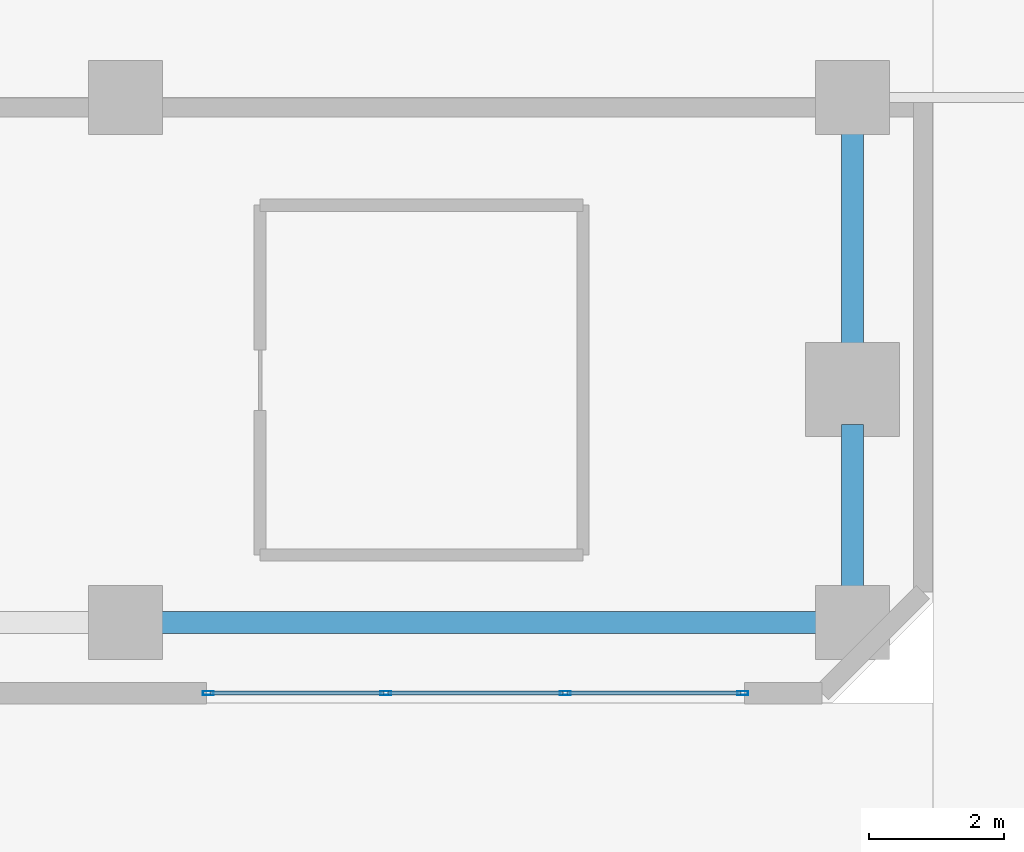
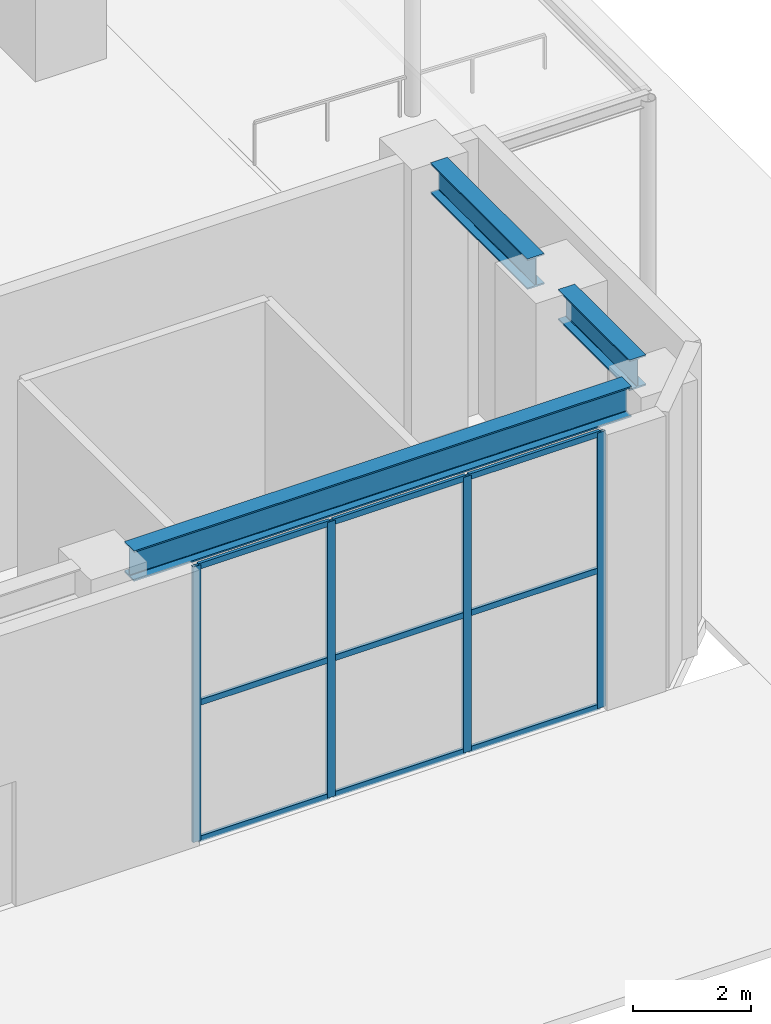
# One storey, part 20 of 49: 13 members, 3 beams, 1 element without a shape of its own.
"""IFC4 building model written with IfcOpenShell, lengths in metres."""

from ifc_helpers import new_model, si_unit, direction, frame, origin, origin_2d, place, context, subcontext, project, spatial, hollow_rectangle, i_section, extrude, material, layer, layer_set, material_profile, profile_set, type_object, element, aggregate, save


model = new_model("IFC4")

# Units and contexts
model_context = context("Model", 3, precision=1e-05, world=origin(), true_north=direction((0.0, 1.0)))
body_context = subcontext(model_context, "Body", "Model", "MODEL_VIEW")
ifc_project = project(units=[si_unit("LENGTHUNIT", "METRE"), si_unit("AREAUNIT", "SQUARE_METRE"), si_unit("VOLUMEUNIT", "CUBIC_METRE"), si_unit("PLANEANGLEUNIT", "RADIAN"), si_unit("MASSUNIT", "GRAM", prefix="KILO")], contexts=[model_context])

# Site, building, storey
site_placement = place(None, origin())
site = spatial("IfcSite", under=ifc_project, at=site_placement, CompositionType="ELEMENT")
building_placement = place(site_placement, origin())
building = spatial("IfcBuilding", under=site, at=building_placement, Name="Sarneth Arch Tower", CompositionType="ELEMENT")
storey_placement = place(building_placement, origin())
storey = spatial("IfcBuildingStorey", under=building, at=storey_placement, Name="L00", CompositionType="ELEMENT", Elevation=0.0)

# Beams
ifc_material_1 = material(Name="Steel S355", Category="steel")
ifc_material_profile_1 = material_profile(ifc_material_1, i_section(OverallWidth=0.3291015625, OverallDepth=0.635009765625, WebThickness=0.017822265625, FlangeThickness=0.031005859375, FilletRadius=0.01904296875, at=origin_2d()), Name="W610x241")
ifc_profile_set_1 = profile_set([ifc_material_profile_1], Name="Steel S355")
beam_type = type_object("IfcBeamType", Name="BM-POD-610", PredefinedType="BEAM", material=ifc_profile_set_1)
beam_1_placement = place(storey_placement, frame((76.52001953125, 9.199951171875, 5.402587890625), z_axis=(1.0, 0.0, 0.0), x_axis=(0.0, 1.0, 0.0)))
element("IfcBeam", 1, at=beam_1_placement, inside=storey, type_object=beam_type, Name="L00 Podium PS girder 8", PredefinedType="BEAM", context=body_context, shape_type="SweptSolid", body=[
    extrude(i_section(OverallWidth=0.3291015625, OverallDepth=0.635009765625, WebThickness=0.017822265625, FlangeThickness=0.031005859375, FilletRadius=0.01904296875, at=origin_2d()), origin(), (0.0, 0.0, 1.0), 9.760009765625),
])
beam_2_placement = place(storey_placement, frame((86.800048828125, 9.719970703125, 5.402587890625), z_axis=(0.0, 1.0, 0.0), x_axis=(-1.0, 0.0, 0.0)))
element("IfcBeam", 2, at=beam_2_placement, inside=storey, type_object=beam_type, Name="L00 Podium PE girder 1", PredefinedType="BEAM", context=body_context, shape_type="SweptSolid", body=[
    extrude(i_section(OverallWidth=0.3291015625, OverallDepth=0.635009765625, WebThickness=0.017822265625, FlangeThickness=0.031005859375, FilletRadius=0.01904296875, at=origin_2d()), origin(), (0.0, 0.0, 1.0), 2.42333984375),
])
beam_3_placement = place(storey_placement, frame((86.800048828125, 13.183349609375, 5.402587890625), z_axis=(0.0, 1.0, 0.0), x_axis=(-1.0, 0.0, 0.0)))
element("IfcBeam", 3, at=beam_3_placement, inside=storey, type_object=beam_type, Name="L00 Podium PE girder 2", PredefinedType="BEAM", context=body_context, shape_type="SweptSolid", body=[
    extrude(i_section(OverallWidth=0.3291015625, OverallDepth=0.635009765625, WebThickness=0.017822265625, FlangeThickness=0.031005859375, FilletRadius=0.01904296875, at=origin_2d()), origin(), (0.0, 0.0, 1.0), 3.296630859375),
])

# Curtain wall, members
ifc_material_2 = material(Name="Anodised aluminium Type AA25 and solar-control low-e laminated IGU", Category="aluminium")
ifc_layer = layer(ifc_material_2, 0.199951171875)
ifc_layer_set = layer_set([ifc_layer], Name="Anodised aluminium Type AA25 and solar-control low-e laminated IGU")
curtain_wall_type = type_object("IfcCurtainWallType", Name="CW-ARCH-GLAZE", PredefinedType="NOTDEFINED", material=ifc_layer_set)
curtain_wall_placement = place(storey_placement, origin())
curtain_wall = element("IfcCurtainWall", 4, at=curtain_wall_placement, inside=storey, type_object=curtain_wall_type, Name="L00 Podium bay curtain wall SE", PredefinedType="NOTDEFINED")
ifc_material_3 = material(Name="Anodised Aluminium 6063-T6", Category="aluminium")
ifc_material_profile_2 = material_profile(ifc_material_3, hollow_rectangle(XDim=0.06005859375, YDim=0.159912109375, WallThickness=0.00390625, at=origin_2d()), Name="AL-MULL-160x60x4")
ifc_profile_set_2 = profile_set([ifc_material_profile_2], Name="Anodised Aluminium 6063-T6")
member_type_1 = type_object("IfcMemberType", Name="CW-MULLION", PredefinedType="MULLION", material=ifc_profile_set_2)
member_1_placement = place(storey_placement, frame((77.22998046875, 8.14990234375, 0.0), z_axis=(0.0, 0.0, 1.0), x_axis=(0.0, 1.0, 0.0)))
member_1 = element("IfcMember", 5, at=member_1_placement, type_object=member_type_1, Name="CW-SYS-2 mullion 1", PredefinedType="MULLION", context=body_context, shape_type="SweptSolid", body=[
    extrude(hollow_rectangle(XDim=0.06005859375, YDim=0.159912109375, WallThickness=0.00390625, at=origin_2d()), origin(), (0.0, 0.0, 1.0), 5.719970703125),
])
member_2_placement = place(storey_placement, frame((79.86669921875, 8.14990234375, 0.0), z_axis=(0.0, 0.0, 1.0), x_axis=(0.0, 1.0, 0.0)))
member_2 = element("IfcMember", 6, at=member_2_placement, type_object=member_type_1, Name="CW-SYS-2 mullion 2", PredefinedType="MULLION", context=body_context, shape_type="SweptSolid", body=[
    extrude(hollow_rectangle(XDim=0.06005859375, YDim=0.159912109375, WallThickness=0.00390625, at=origin_2d()), origin(), (0.0, 0.0, 1.0), 5.719970703125),
])
member_3_placement = place(storey_placement, frame((82.533447265625, 8.14990234375, 0.0), z_axis=(0.0, 0.0, 1.0), x_axis=(0.0, 1.0, 0.0)))
member_3 = element("IfcMember", 7, at=member_3_placement, type_object=member_type_1, Name="CW-SYS-2 mullion 3", PredefinedType="MULLION", context=body_context, shape_type="SweptSolid", body=[
    extrude(hollow_rectangle(XDim=0.06005859375, YDim=0.159912109375, WallThickness=0.00390625, at=origin_2d()), origin(), (0.0, 0.0, 1.0), 5.719970703125),
])
member_4_placement = place(storey_placement, frame((85.169921875, 8.14990234375, 0.0), z_axis=(0.0, 0.0, 1.0), x_axis=(0.0, 1.0, 0.0)))
member_4 = element("IfcMember", 8, at=member_4_placement, type_object=member_type_1, Name="CW-SYS-2 mullion 4", PredefinedType="MULLION", context=body_context, shape_type="SweptSolid", body=[
    extrude(hollow_rectangle(XDim=0.06005859375, YDim=0.159912109375, WallThickness=0.00390625, at=origin_2d()), origin(), (0.0, 0.0, 1.0), 5.719970703125),
])
ifc_material_4 = material(Name="Anodised Aluminium 6063-T6", Category="aluminium")
ifc_material_profile_3 = material_profile(ifc_material_4, hollow_rectangle(XDim=0.06005859375, YDim=0.1201171875, WallThickness=0.00390625, at=origin_2d()), Name="AL-TRAN-120x60x4")
ifc_profile_set_3 = profile_set([ifc_material_profile_3], Name="Anodised Aluminium 6063-T6")
member_type_2 = type_object("IfcMemberType", Name="CW-TRANSOM", PredefinedType="USERDEFINED", material=ifc_profile_set_3)
member_5_placement = place(storey_placement, frame((77.260009765625, 8.14990234375, 0.030029296875), z_axis=(1.0, 0.0, 0.0), x_axis=(0.0, 1.0, 0.0)))
member_5 = element("IfcMember", 9, at=member_5_placement, type_object=member_type_2, Name="CW-SYS-2 transom 1.1", ObjectType="TRANSOM", PredefinedType="USERDEFINED", context=body_context, shape_type="SweptSolid", body=[
    extrude(hollow_rectangle(XDim=0.06005859375, YDim=0.1201171875, WallThickness=0.00390625, at=origin_2d()), origin(), (0.0, 0.0, 1.0), 2.57666015625),
])
member_6_placement = place(storey_placement, frame((77.260009765625, 8.14990234375, 2.860107421875), z_axis=(1.0, 0.0, 0.0), x_axis=(0.0, 1.0, 0.0)))
member_6 = element("IfcMember", 10, at=member_6_placement, type_object=member_type_2, Name="CW-SYS-2 transom 1.2", ObjectType="TRANSOM", PredefinedType="USERDEFINED", context=body_context, shape_type="SweptSolid", body=[
    extrude(hollow_rectangle(XDim=0.06005859375, YDim=0.1201171875, WallThickness=0.00390625, at=origin_2d()), origin(), (0.0, 0.0, 1.0), 2.57666015625),
])
member_7_placement = place(storey_placement, frame((77.260009765625, 8.14990234375, 5.68994140625), z_axis=(1.0, 0.0, 0.0), x_axis=(0.0, 1.0, 0.0)))
member_7 = element("IfcMember", 11, at=member_7_placement, type_object=member_type_2, Name="CW-SYS-2 transom 1.3", ObjectType="TRANSOM", PredefinedType="USERDEFINED", context=body_context, shape_type="SweptSolid", body=[
    extrude(hollow_rectangle(XDim=0.06005859375, YDim=0.1201171875, WallThickness=0.00390625, at=origin_2d()), origin(), (0.0, 0.0, 1.0), 2.57666015625),
])
member_8_placement = place(storey_placement, frame((79.896728515625, 8.14990234375, 0.030029296875), z_axis=(1.0, 0.0, 0.0), x_axis=(0.0, 1.0, 0.0)))
member_8 = element("IfcMember", 12, at=member_8_placement, type_object=member_type_2, Name="CW-SYS-2 transom 2.1", ObjectType="TRANSOM", PredefinedType="USERDEFINED", context=body_context, shape_type="SweptSolid", body=[
    extrude(hollow_rectangle(XDim=0.06005859375, YDim=0.1201171875, WallThickness=0.00390625, at=origin_2d()), origin(), (0.0, 0.0, 1.0), 2.606689453125),
])
member_9_placement = place(storey_placement, frame((79.896728515625, 8.14990234375, 2.860107421875), z_axis=(1.0, 0.0, 0.0), x_axis=(0.0, 1.0, 0.0)))
member_9 = element("IfcMember", 13, at=member_9_placement, type_object=member_type_2, Name="CW-SYS-2 transom 2.2", ObjectType="TRANSOM", PredefinedType="USERDEFINED", context=body_context, shape_type="SweptSolid", body=[
    extrude(hollow_rectangle(XDim=0.06005859375, YDim=0.1201171875, WallThickness=0.00390625, at=origin_2d()), origin(), (0.0, 0.0, 1.0), 2.606689453125),
])
member_10_placement = place(storey_placement, frame((79.896728515625, 8.14990234375, 5.68994140625), z_axis=(1.0, 0.0, 0.0), x_axis=(0.0, 1.0, 0.0)))
member_10 = element("IfcMember", 14, at=member_10_placement, type_object=member_type_2, Name="CW-SYS-2 transom 2.3", ObjectType="TRANSOM", PredefinedType="USERDEFINED", context=body_context, shape_type="SweptSolid", body=[
    extrude(hollow_rectangle(XDim=0.06005859375, YDim=0.1201171875, WallThickness=0.00390625, at=origin_2d()), origin(), (0.0, 0.0, 1.0), 2.606689453125),
])
member_11_placement = place(storey_placement, frame((82.563232421875, 8.14990234375, 0.030029296875), z_axis=(1.0, 0.0, 0.0), x_axis=(0.0, 1.0, 0.0)))
member_11 = element("IfcMember", 15, at=member_11_placement, type_object=member_type_2, Name="CW-SYS-2 transom 3.1", ObjectType="TRANSOM", PredefinedType="USERDEFINED", context=body_context, shape_type="SweptSolid", body=[
    extrude(hollow_rectangle(XDim=0.06005859375, YDim=0.1201171875, WallThickness=0.00390625, at=origin_2d()), origin(), (0.0, 0.0, 1.0), 2.57666015625),
])
member_12_placement = place(storey_placement, frame((82.563232421875, 8.14990234375, 2.860107421875), z_axis=(1.0, 0.0, 0.0), x_axis=(0.0, 1.0, 0.0)))
member_12 = element("IfcMember", 16, at=member_12_placement, type_object=member_type_2, Name="CW-SYS-2 transom 3.2", ObjectType="TRANSOM", PredefinedType="USERDEFINED", context=body_context, shape_type="SweptSolid", body=[
    extrude(hollow_rectangle(XDim=0.06005859375, YDim=0.1201171875, WallThickness=0.00390625, at=origin_2d()), origin(), (0.0, 0.0, 1.0), 2.57666015625),
])
member_13_placement = place(storey_placement, frame((82.563232421875, 8.14990234375, 5.68994140625), z_axis=(1.0, 0.0, 0.0), x_axis=(0.0, 1.0, 0.0)))
member_13 = element("IfcMember", 17, at=member_13_placement, type_object=member_type_2, Name="CW-SYS-2 transom 3.3", ObjectType="TRANSOM", PredefinedType="USERDEFINED", context=body_context, shape_type="SweptSolid", body=[
    extrude(hollow_rectangle(XDim=0.06005859375, YDim=0.1201171875, WallThickness=0.00390625, at=origin_2d()), origin(), (0.0, 0.0, 1.0), 2.57666015625),
])
aggregate(curtain_wall, [member_1, member_2, member_3, member_4, member_5, member_6, member_7, member_8, member_9, member_10, member_11, member_12, member_13])

save(model, "model.ifc")
